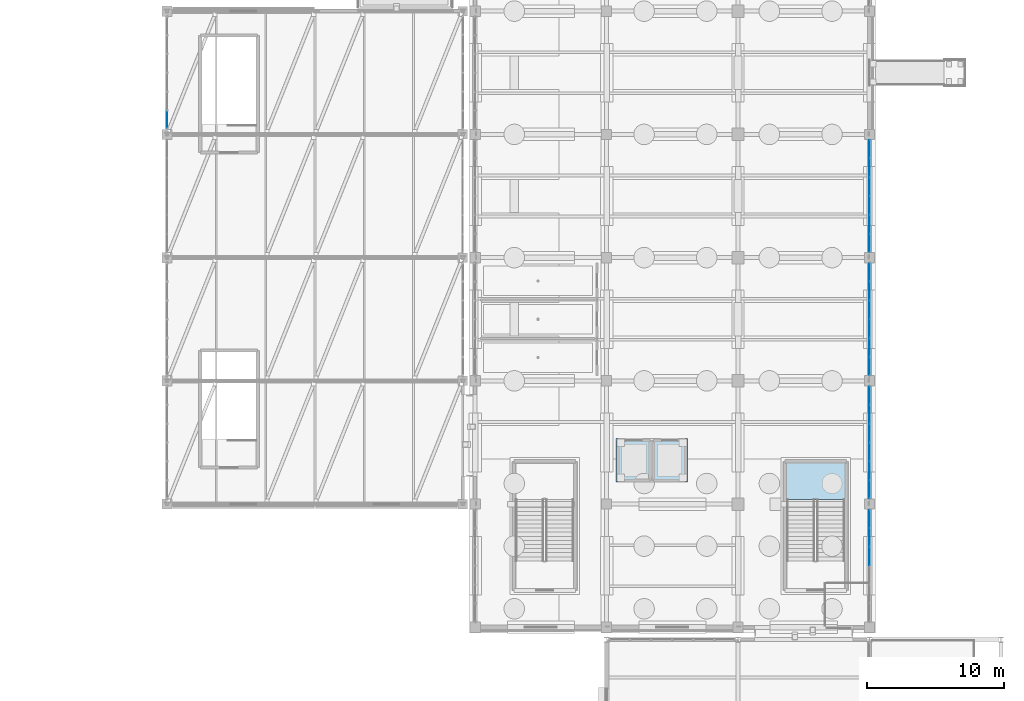
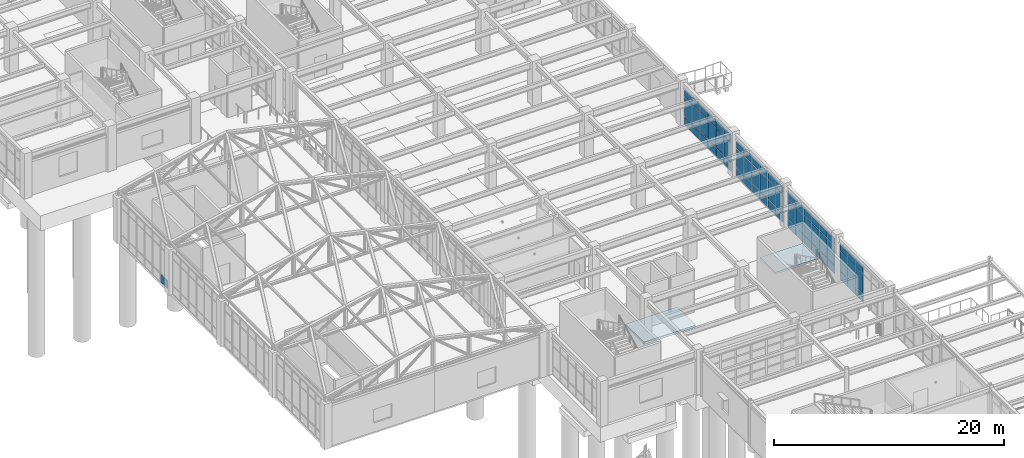
# One storey, part 98 of 139: 64 plates, 2 slabs, 6 elements without a shape of their own.
"""IFC4 building model written with IfcOpenShell, lengths in metres."""

from ifc_helpers import new_model, si_unit, direction, frame, origin, origin_2d, place, context, subcontext, project, spatial, polyline, rectangle, outline, extrude, material, layer, layer_set, type_object, element, aggregate, save


model = new_model("IFC4")

# Units and contexts
model_context = context("Model", 3, precision=1e-05, world=origin(), true_north=direction((0.0, 1.0)))
body_context = subcontext(model_context, "Body", "Model", "MODEL_VIEW")
ifc_project = project(units=[si_unit("LENGTHUNIT", "METRE"), si_unit("AREAUNIT", "SQUARE_METRE"), si_unit("VOLUMEUNIT", "CUBIC_METRE"), si_unit("PLANEANGLEUNIT", "RADIAN"), si_unit("MASSUNIT", "GRAM", prefix="KILO")], contexts=[model_context])

# Site, building, storey
site_placement = place(None, origin())
site = spatial("IfcSite", under=ifc_project, at=site_placement, CompositionType="ELEMENT")
building_placement = place(site_placement, origin())
building = spatial("IfcBuilding", under=site, at=building_placement, Name="Canglan Escarpment Cableway Terminal", CompositionType="ELEMENT")
storey_placement = place(building_placement, frame((0.0, 0.0, 14.39990234375)))
storey = spatial("IfcBuildingStorey", under=building, at=storey_placement, Name="L03", CompositionType="ELEMENT", Elevation=14.39990234375)

# Curtain wall, plates
ifc_material_1 = material(Name="Anodized bronze aluminium and Low-E double glazing", Category="aluminium")
curtain_wall_type_1 = type_object("IfcCurtainWallType", Name="CW-BAY-8250x3900", PredefinedType="NOTDEFINED", material=ifc_material_1)
curtain_wall_1_placement = place(storey_placement, origin())
curtain_wall_1 = element("IfcCurtainWall", 1, at=curtain_wall_1_placement, inside=storey, type_object=curtain_wall_type_1, Name="Classical bay-between-piers glazed curtain wall CW-62", PredefinedType="NOTDEFINED")
ifc_material_2 = material(Name="Double-silver Low-E laminated insulating glass", Category="glass")
ifc_layer_1 = layer(ifc_material_2, 0.02392578125, Name="Double-silver Low-E laminated insulating glass")
ifc_layer_set_1 = layer_set([ifc_layer_1], Name="Double-silver Low-E laminated insulating glass")
plate_type_1 = type_object("IfcPlateType", Name="CWP-01", PredefinedType="CURTAIN_PANEL", material=ifc_layer_set_1)
plate_1_placement = place(storey_placement, frame((166.39990234375, 39.1875, 0.05517578125), z_axis=(0.0, 0.0, 1.0), x_axis=(0.0, 1.0, 0.0)))
plate_1 = element("IfcPlate", 2, at=plate_1_placement, type_object=plate_type_1, Name="CW-62 panel 4.1", PredefinedType="CURTAIN_PANEL", context=body_context, shape_type="SweptSolid", body=[
    extrude(rectangle(XDim=1.31494140625, YDim=0.02392578125, at=origin_2d()), origin(), (0.0, 0.0, 1.0), 0.867431640625),
])
plate_2_placement = place(storey_placement, frame((166.39990234375, 39.1875, 0.9775390625), z_axis=(0.0, 0.0, 1.0), x_axis=(0.0, 1.0, 0.0)))
plate_2 = element("IfcPlate", 3, at=plate_2_placement, type_object=plate_type_1, Name="CW-62 panel 4.2", PredefinedType="CURTAIN_PANEL", context=body_context, shape_type="SweptSolid", body=[
    extrude(rectangle(XDim=1.31494140625, YDim=0.02392578125, at=origin_2d()), origin(), (0.0, 0.0, 1.0), 2.035888671875),
])
plate_3_placement = place(storey_placement, frame((166.39990234375, 39.1875, 3.068603515625), z_axis=(0.0, 0.0, 1.0), x_axis=(0.0, 1.0, 0.0)))
plate_3 = element("IfcPlate", 4, at=plate_3_placement, type_object=plate_type_1, Name="CW-62 panel 4.3", PredefinedType="CURTAIN_PANEL", context=body_context, shape_type="SweptSolid", body=[
    extrude(rectangle(XDim=1.31494140625, YDim=0.02392578125, at=origin_2d()), origin(), (0.0, 0.0, 1.0), 0.767578125),
])
plate_4_placement = place(storey_placement, frame((166.39990234375, 40.5625, 0.05517578125), z_axis=(0.0, 0.0, 1.0), x_axis=(0.0, 1.0, 0.0)))
plate_4 = element("IfcPlate", 5, at=plate_4_placement, type_object=plate_type_1, Name="CW-62 panel 5.1", PredefinedType="CURTAIN_PANEL", context=body_context, shape_type="SweptSolid", body=[
    extrude(rectangle(XDim=1.31494140625, YDim=0.02392578125, at=origin_2d()), origin(), (0.0, 0.0, 1.0), 0.867431640625),
])
plate_5_placement = place(storey_placement, frame((166.39990234375, 40.5625, 0.9775390625), z_axis=(0.0, 0.0, 1.0), x_axis=(0.0, 1.0, 0.0)))
plate_5 = element("IfcPlate", 6, at=plate_5_placement, type_object=plate_type_1, Name="CW-62 panel 5.2", PredefinedType="CURTAIN_PANEL", context=body_context, shape_type="SweptSolid", body=[
    extrude(rectangle(XDim=1.31494140625, YDim=0.02392578125, at=origin_2d()), origin(), (0.0, 0.0, 1.0), 2.035888671875),
])
plate_6_placement = place(storey_placement, frame((166.39990234375, 40.5625, 3.068603515625), z_axis=(0.0, 0.0, 1.0), x_axis=(0.0, 1.0, 0.0)))
plate_6 = element("IfcPlate", 7, at=plate_6_placement, type_object=plate_type_1, Name="CW-62 panel 5.3", PredefinedType="CURTAIN_PANEL", context=body_context, shape_type="SweptSolid", body=[
    extrude(rectangle(XDim=1.31494140625, YDim=0.02392578125, at=origin_2d()), origin(), (0.0, 0.0, 1.0), 0.767578125),
])
plate_7_placement = place(storey_placement, frame((166.39990234375, 41.922607421875, 0.05517578125), z_axis=(0.0, 0.0, 1.0), x_axis=(0.0, 1.0, 0.0)))
plate_7 = element("IfcPlate", 8, at=plate_7_placement, type_object=plate_type_1, Name="CW-62 panel 6.1", PredefinedType="CURTAIN_PANEL", context=body_context, shape_type="SweptSolid", body=[
    extrude(rectangle(XDim=1.284912109375, YDim=0.02392578125, at=origin_2d()), origin(), (0.0, 0.0, 1.0), 0.867431640625),
])
plate_8_placement = place(storey_placement, frame((166.39990234375, 41.922607421875, 0.9775390625), z_axis=(0.0, 0.0, 1.0), x_axis=(0.0, 1.0, 0.0)))
plate_8 = element("IfcPlate", 9, at=plate_8_placement, type_object=plate_type_1, Name="CW-62 panel 6.2", PredefinedType="CURTAIN_PANEL", context=body_context, shape_type="SweptSolid", body=[
    extrude(rectangle(XDim=1.284912109375, YDim=0.02392578125, at=origin_2d()), origin(), (0.0, 0.0, 1.0), 2.035888671875),
])
plate_9_placement = place(storey_placement, frame((166.39990234375, 41.922607421875, 3.068603515625), z_axis=(0.0, 0.0, 1.0), x_axis=(0.0, 1.0, 0.0)))
plate_9 = element("IfcPlate", 10, at=plate_9_placement, type_object=plate_type_1, Name="CW-62 panel 6.3", PredefinedType="CURTAIN_PANEL", context=body_context, shape_type="SweptSolid", body=[
    extrude(rectangle(XDim=1.284912109375, YDim=0.02392578125, at=origin_2d()), origin(), (0.0, 0.0, 1.0), 0.767578125),
])
aggregate(curtain_wall_1, [plate_1, plate_2, plate_3, plate_4, plate_5, plate_6, plate_7, plate_8, plate_9])

# Curtain wall, plate
curtain_wall_type_2 = type_object("IfcCurtainWallType", Name="CW-BAY-8250x4600", PredefinedType="NOTDEFINED", material=ifc_material_1)
curtain_wall_2_placement = place(storey_placement, origin())
curtain_wall_2 = element("IfcCurtainWall", 11, at=curtain_wall_2_placement, inside=storey, type_object=curtain_wall_type_2, Name="Classical bay-between-piers glazed curtain wall CW-46", PredefinedType="NOTDEFINED")
ifc_layer_2 = layer(ifc_material_2, 0.028076171875, Name="Double-silver Low-E laminated insulating glass")
ifc_layer_set_2 = layer_set([ifc_layer_2], Name="Double-silver Low-E laminated insulating glass")
plate_type_2 = type_object("IfcPlateType", Name="CWP-02", PredefinedType="CURTAIN_PANEL", material=ifc_layer_set_2)
plate_10_placement = place(storey_placement, frame((115.10009765625, 71.078857421875, 0.06005859375), z_axis=(0.0, 0.0, 1.0), x_axis=(0.0, -1.0, 0.0)))
plate_10 = element("IfcPlate", 12, at=plate_10_placement, type_object=plate_type_2, Name="CW-46 panel 6.1", PredefinedType="CURTAIN_PANEL", context=body_context, shape_type="SweptSolid", body=[
    extrude(rectangle(XDim=1.277587890625, YDim=0.028076171875, at=origin_2d()), origin(), (0.0, 0.0, 1.0), 0.860107421875),
])
aggregate(curtain_wall_2, [plate_10])

# Curtain wall, plates
curtain_wall_3_placement = place(storey_placement, origin())
curtain_wall_3 = element("IfcCurtainWall", 13, at=curtain_wall_3_placement, inside=storey, type_object=curtain_wall_type_1, Name="Classical bay-between-piers glazed curtain wall CW-62", PredefinedType="NOTDEFINED")
plate_11_placement = place(storey_placement, frame((166.39990234375, 44.078857421875, 0.06005859375), z_axis=(0.0, 0.0, 1.0), x_axis=(0.0, 1.0, 0.0)))
plate_11 = element("IfcPlate", 14, at=plate_11_placement, type_object=plate_type_2, Name="CW-62 panel 1.1", PredefinedType="CURTAIN_PANEL", context=body_context, shape_type="SweptSolid", body=[
    extrude(rectangle(XDim=1.277587890625, YDim=0.028076171875, at=origin_2d()), origin(), (0.0, 0.0, 1.0), 0.860107421875),
])
plate_12_placement = place(storey_placement, frame((166.39990234375, 44.078857421875, 0.97998046875), z_axis=(0.0, 0.0, 1.0), x_axis=(0.0, 1.0, 0.0)))
plate_12 = element("IfcPlate", 15, at=plate_12_placement, type_object=plate_type_2, Name="CW-62 panel 1.2", PredefinedType="CURTAIN_PANEL", context=body_context, shape_type="SweptSolid", body=[
    extrude(rectangle(XDim=1.277587890625, YDim=0.028076171875, at=origin_2d()), origin(), (0.0, 0.0, 1.0), 2.031005859375),
])
plate_13_placement = place(storey_placement, frame((166.39990234375, 44.078857421875, 3.0712890625), z_axis=(0.0, 0.0, 1.0), x_axis=(0.0, 1.0, 0.0)))
plate_13 = element("IfcPlate", 16, at=plate_13_placement, type_object=plate_type_2, Name="CW-62 panel 1.3", PredefinedType="CURTAIN_PANEL", context=body_context, shape_type="SweptSolid", body=[
    extrude(rectangle(XDim=1.277587890625, YDim=0.028076171875, at=origin_2d()), origin(), (0.0, 0.0, 1.0), 0.760009765625),
])
plate_14_placement = place(storey_placement, frame((166.39990234375, 45.4375, 0.06005859375), z_axis=(0.0, 0.0, 1.0), x_axis=(0.0, 1.0, 0.0)))
plate_14 = element("IfcPlate", 17, at=plate_14_placement, type_object=plate_type_2, Name="CW-62 panel 2.1", PredefinedType="CURTAIN_PANEL", context=body_context, shape_type="SweptSolid", body=[
    extrude(rectangle(XDim=1.31005859375, YDim=0.028076171875, at=origin_2d()), origin(), (0.0, 0.0, 1.0), 0.860107421875),
])
plate_15_placement = place(storey_placement, frame((166.39990234375, 45.4375, 0.97998046875), z_axis=(0.0, 0.0, 1.0), x_axis=(0.0, 1.0, 0.0)))
plate_15 = element("IfcPlate", 18, at=plate_15_placement, type_object=plate_type_2, Name="CW-62 panel 2.2", PredefinedType="CURTAIN_PANEL", context=body_context, shape_type="SweptSolid", body=[
    extrude(rectangle(XDim=1.31005859375, YDim=0.028076171875, at=origin_2d()), origin(), (0.0, 0.0, 1.0), 2.031005859375),
])
plate_16_placement = place(storey_placement, frame((166.39990234375, 45.4375, 3.0712890625), z_axis=(0.0, 0.0, 1.0), x_axis=(0.0, 1.0, 0.0)))
plate_16 = element("IfcPlate", 19, at=plate_16_placement, type_object=plate_type_2, Name="CW-62 panel 2.3", PredefinedType="CURTAIN_PANEL", context=body_context, shape_type="SweptSolid", body=[
    extrude(rectangle(XDim=1.31005859375, YDim=0.028076171875, at=origin_2d()), origin(), (0.0, 0.0, 1.0), 0.760009765625),
])
plate_17_placement = place(storey_placement, frame((166.39990234375, 46.8125, 0.06005859375), z_axis=(0.0, 0.0, 1.0), x_axis=(0.0, 1.0, 0.0)))
plate_17 = element("IfcPlate", 20, at=plate_17_placement, type_object=plate_type_2, Name="CW-62 panel 3.1", PredefinedType="CURTAIN_PANEL", context=body_context, shape_type="SweptSolid", body=[
    extrude(rectangle(XDim=1.31005859375, YDim=0.028076171875, at=origin_2d()), origin(), (0.0, 0.0, 1.0), 0.860107421875),
])
plate_18_placement = place(storey_placement, frame((166.39990234375, 46.8125, 0.97998046875), z_axis=(0.0, 0.0, 1.0), x_axis=(0.0, 1.0, 0.0)))
plate_18 = element("IfcPlate", 21, at=plate_18_placement, type_object=plate_type_2, Name="CW-62 panel 3.2", PredefinedType="CURTAIN_PANEL", context=body_context, shape_type="SweptSolid", body=[
    extrude(rectangle(XDim=1.31005859375, YDim=0.028076171875, at=origin_2d()), origin(), (0.0, 0.0, 1.0), 2.031005859375),
])
plate_19_placement = place(storey_placement, frame((166.39990234375, 46.8125, 3.0712890625), z_axis=(0.0, 0.0, 1.0), x_axis=(0.0, 1.0, 0.0)))
plate_19 = element("IfcPlate", 22, at=plate_19_placement, type_object=plate_type_2, Name="CW-62 panel 3.3", PredefinedType="CURTAIN_PANEL", context=body_context, shape_type="SweptSolid", body=[
    extrude(rectangle(XDim=1.31005859375, YDim=0.028076171875, at=origin_2d()), origin(), (0.0, 0.0, 1.0), 0.760009765625),
])
plate_20_placement = place(storey_placement, frame((166.39990234375, 48.1875, 0.06005859375), z_axis=(0.0, 0.0, 1.0), x_axis=(0.0, 1.0, 0.0)))
plate_20 = element("IfcPlate", 23, at=plate_20_placement, type_object=plate_type_2, Name="CW-62 panel 4.1", PredefinedType="CURTAIN_PANEL", context=body_context, shape_type="SweptSolid", body=[
    extrude(rectangle(XDim=1.31005859375, YDim=0.028076171875, at=origin_2d()), origin(), (0.0, 0.0, 1.0), 0.860107421875),
])
plate_21_placement = place(storey_placement, frame((166.39990234375, 48.1875, 0.97998046875), z_axis=(0.0, 0.0, 1.0), x_axis=(0.0, 1.0, 0.0)))
plate_21 = element("IfcPlate", 24, at=plate_21_placement, type_object=plate_type_2, Name="CW-62 panel 4.2", PredefinedType="CURTAIN_PANEL", context=body_context, shape_type="SweptSolid", body=[
    extrude(rectangle(XDim=1.31005859375, YDim=0.028076171875, at=origin_2d()), origin(), (0.0, 0.0, 1.0), 2.031005859375),
])
plate_22_placement = place(storey_placement, frame((166.39990234375, 48.1875, 3.0712890625), z_axis=(0.0, 0.0, 1.0), x_axis=(0.0, 1.0, 0.0)))
plate_22 = element("IfcPlate", 25, at=plate_22_placement, type_object=plate_type_2, Name="CW-62 panel 4.3", PredefinedType="CURTAIN_PANEL", context=body_context, shape_type="SweptSolid", body=[
    extrude(rectangle(XDim=1.31005859375, YDim=0.028076171875, at=origin_2d()), origin(), (0.0, 0.0, 1.0), 0.760009765625),
])
plate_23_placement = place(storey_placement, frame((166.39990234375, 49.5625, 0.06005859375), z_axis=(0.0, 0.0, 1.0), x_axis=(0.0, 1.0, 0.0)))
plate_23 = element("IfcPlate", 26, at=plate_23_placement, type_object=plate_type_2, Name="CW-62 panel 5.1", PredefinedType="CURTAIN_PANEL", context=body_context, shape_type="SweptSolid", body=[
    extrude(rectangle(XDim=1.31005859375, YDim=0.028076171875, at=origin_2d()), origin(), (0.0, 0.0, 1.0), 0.860107421875),
])
plate_24_placement = place(storey_placement, frame((166.39990234375, 49.5625, 0.97998046875), z_axis=(0.0, 0.0, 1.0), x_axis=(0.0, 1.0, 0.0)))
plate_24 = element("IfcPlate", 27, at=plate_24_placement, type_object=plate_type_2, Name="CW-62 panel 5.2", PredefinedType="CURTAIN_PANEL", context=body_context, shape_type="SweptSolid", body=[
    extrude(rectangle(XDim=1.31005859375, YDim=0.028076171875, at=origin_2d()), origin(), (0.0, 0.0, 1.0), 2.031005859375),
])
plate_25_placement = place(storey_placement, frame((166.39990234375, 49.5625, 3.0712890625), z_axis=(0.0, 0.0, 1.0), x_axis=(0.0, 1.0, 0.0)))
plate_25 = element("IfcPlate", 28, at=plate_25_placement, type_object=plate_type_2, Name="CW-62 panel 5.3", PredefinedType="CURTAIN_PANEL", context=body_context, shape_type="SweptSolid", body=[
    extrude(rectangle(XDim=1.31005859375, YDim=0.028076171875, at=origin_2d()), origin(), (0.0, 0.0, 1.0), 0.760009765625),
])
plate_26_placement = place(storey_placement, frame((166.39990234375, 50.921142578125, 0.06005859375), z_axis=(0.0, 0.0, 1.0), x_axis=(0.0, 1.0, 0.0)))
plate_26 = element("IfcPlate", 29, at=plate_26_placement, type_object=plate_type_2, Name="CW-62 panel 6.1", PredefinedType="CURTAIN_PANEL", context=body_context, shape_type="SweptSolid", body=[
    extrude(rectangle(XDim=1.277587890625, YDim=0.028076171875, at=origin_2d()), origin(), (0.0, 0.0, 1.0), 0.860107421875),
])
plate_27_placement = place(storey_placement, frame((166.39990234375, 50.921142578125, 0.97998046875), z_axis=(0.0, 0.0, 1.0), x_axis=(0.0, 1.0, 0.0)))
plate_27 = element("IfcPlate", 30, at=plate_27_placement, type_object=plate_type_2, Name="CW-62 panel 6.2", PredefinedType="CURTAIN_PANEL", context=body_context, shape_type="SweptSolid", body=[
    extrude(rectangle(XDim=1.277587890625, YDim=0.028076171875, at=origin_2d()), origin(), (0.0, 0.0, 1.0), 2.031005859375),
])
plate_28_placement = place(storey_placement, frame((166.39990234375, 50.921142578125, 3.0712890625), z_axis=(0.0, 0.0, 1.0), x_axis=(0.0, 1.0, 0.0)))
plate_28 = element("IfcPlate", 31, at=plate_28_placement, type_object=plate_type_2, Name="CW-62 panel 6.3", PredefinedType="CURTAIN_PANEL", context=body_context, shape_type="SweptSolid", body=[
    extrude(rectangle(XDim=1.277587890625, YDim=0.028076171875, at=origin_2d()), origin(), (0.0, 0.0, 1.0), 0.760009765625),
])
aggregate(curtain_wall_3, [plate_11, plate_12, plate_13, plate_14, plate_15, plate_16, plate_17, plate_18, plate_19, plate_20, plate_21, plate_22, plate_23, plate_24, plate_25, plate_26, plate_27, plate_28])

curtain_wall_4_placement = place(storey_placement, origin())
curtain_wall_4 = element("IfcCurtainWall", 32, at=curtain_wall_4_placement, inside=storey, type_object=curtain_wall_type_1, Name="Classical bay-between-piers glazed curtain wall CW-62", PredefinedType="NOTDEFINED")
ifc_layer_3 = layer(ifc_material_2, 0.031982421875, Name="Double-silver Low-E laminated insulating glass")
ifc_layer_set_3 = layer_set([ifc_layer_3], Name="Double-silver Low-E laminated insulating glass")
plate_type_3 = type_object("IfcPlateType", Name="CWP-03", PredefinedType="CURTAIN_PANEL", material=ifc_layer_set_3)
plate_29_placement = place(storey_placement, frame((166.39990234375, 53.078857421875, 0.065185546875), z_axis=(0.0, 0.0, 1.0), x_axis=(0.0, 1.0, 0.0)))
plate_29 = element("IfcPlate", 33, at=plate_29_placement, type_object=plate_type_3, Name="CW-62 panel 1.1", PredefinedType="CURTAIN_PANEL", context=body_context, shape_type="SweptSolid", body=[
    extrude(rectangle(XDim=1.277587890625, YDim=0.031982421875, at=origin_2d()), origin(), (0.0, 0.0, 1.0), 0.8525390625),
])
plate_30_placement = place(storey_placement, frame((166.39990234375, 53.078857421875, 0.982666015625), z_axis=(0.0, 0.0, 1.0), x_axis=(0.0, 1.0, 0.0)))
plate_30 = element("IfcPlate", 34, at=plate_30_placement, type_object=plate_type_3, Name="CW-62 panel 1.2", PredefinedType="CURTAIN_PANEL", context=body_context, shape_type="SweptSolid", body=[
    extrude(rectangle(XDim=1.277587890625, YDim=0.031982421875, at=origin_2d()), origin(), (0.0, 0.0, 1.0), 2.02587890625),
])
plate_31_placement = place(storey_placement, frame((166.39990234375, 53.078857421875, 3.07373046875), z_axis=(0.0, 0.0, 1.0), x_axis=(0.0, 1.0, 0.0)))
plate_31 = element("IfcPlate", 35, at=plate_31_placement, type_object=plate_type_3, Name="CW-62 panel 1.3", PredefinedType="CURTAIN_PANEL", context=body_context, shape_type="SweptSolid", body=[
    extrude(rectangle(XDim=1.277587890625, YDim=0.031982421875, at=origin_2d()), origin(), (0.0, 0.0, 1.0), 0.75244140625),
])
plate_32_placement = place(storey_placement, frame((166.39990234375, 54.4375, 0.065185546875), z_axis=(0.0, 0.0, 1.0), x_axis=(0.0, 1.0, 0.0)))
plate_32 = element("IfcPlate", 36, at=plate_32_placement, type_object=plate_type_3, Name="CW-62 panel 2.1", PredefinedType="CURTAIN_PANEL", context=body_context, shape_type="SweptSolid", body=[
    extrude(rectangle(XDim=1.31005859375, YDim=0.031982421875, at=origin_2d()), origin(), (0.0, 0.0, 1.0), 0.8525390625),
])
plate_33_placement = place(storey_placement, frame((166.39990234375, 54.4375, 0.982666015625), z_axis=(0.0, 0.0, 1.0), x_axis=(0.0, 1.0, 0.0)))
plate_33 = element("IfcPlate", 37, at=plate_33_placement, type_object=plate_type_3, Name="CW-62 panel 2.2", PredefinedType="CURTAIN_PANEL", context=body_context, shape_type="SweptSolid", body=[
    extrude(rectangle(XDim=1.31005859375, YDim=0.031982421875, at=origin_2d()), origin(), (0.0, 0.0, 1.0), 2.02587890625),
])
plate_34_placement = place(storey_placement, frame((166.39990234375, 54.4375, 3.07373046875), z_axis=(0.0, 0.0, 1.0), x_axis=(0.0, 1.0, 0.0)))
plate_34 = element("IfcPlate", 38, at=plate_34_placement, type_object=plate_type_3, Name="CW-62 panel 2.3", PredefinedType="CURTAIN_PANEL", context=body_context, shape_type="SweptSolid", body=[
    extrude(rectangle(XDim=1.31005859375, YDim=0.031982421875, at=origin_2d()), origin(), (0.0, 0.0, 1.0), 0.75244140625),
])
plate_35_placement = place(storey_placement, frame((166.39990234375, 55.8125, 0.065185546875), z_axis=(0.0, 0.0, 1.0), x_axis=(0.0, 1.0, 0.0)))
plate_35 = element("IfcPlate", 39, at=plate_35_placement, type_object=plate_type_3, Name="CW-62 panel 3.1", PredefinedType="CURTAIN_PANEL", context=body_context, shape_type="SweptSolid", body=[
    extrude(rectangle(XDim=1.31005859375, YDim=0.031982421875, at=origin_2d()), origin(), (0.0, 0.0, 1.0), 0.8525390625),
])
plate_36_placement = place(storey_placement, frame((166.39990234375, 55.8125, 0.982666015625), z_axis=(0.0, 0.0, 1.0), x_axis=(0.0, 1.0, 0.0)))
plate_36 = element("IfcPlate", 40, at=plate_36_placement, type_object=plate_type_3, Name="CW-62 panel 3.2", PredefinedType="CURTAIN_PANEL", context=body_context, shape_type="SweptSolid", body=[
    extrude(rectangle(XDim=1.31005859375, YDim=0.031982421875, at=origin_2d()), origin(), (0.0, 0.0, 1.0), 2.02587890625),
])
plate_37_placement = place(storey_placement, frame((166.39990234375, 55.8125, 3.07373046875), z_axis=(0.0, 0.0, 1.0), x_axis=(0.0, 1.0, 0.0)))
plate_37 = element("IfcPlate", 41, at=plate_37_placement, type_object=plate_type_3, Name="CW-62 panel 3.3", PredefinedType="CURTAIN_PANEL", context=body_context, shape_type="SweptSolid", body=[
    extrude(rectangle(XDim=1.31005859375, YDim=0.031982421875, at=origin_2d()), origin(), (0.0, 0.0, 1.0), 0.75244140625),
])
plate_38_placement = place(storey_placement, frame((166.39990234375, 57.1875, 0.065185546875), z_axis=(0.0, 0.0, 1.0), x_axis=(0.0, 1.0, 0.0)))
plate_38 = element("IfcPlate", 42, at=plate_38_placement, type_object=plate_type_3, Name="CW-62 panel 4.1", PredefinedType="CURTAIN_PANEL", context=body_context, shape_type="SweptSolid", body=[
    extrude(rectangle(XDim=1.31005859375, YDim=0.031982421875, at=origin_2d()), origin(), (0.0, 0.0, 1.0), 0.8525390625),
])
plate_39_placement = place(storey_placement, frame((166.39990234375, 57.1875, 0.982666015625), z_axis=(0.0, 0.0, 1.0), x_axis=(0.0, 1.0, 0.0)))
plate_39 = element("IfcPlate", 43, at=plate_39_placement, type_object=plate_type_3, Name="CW-62 panel 4.2", PredefinedType="CURTAIN_PANEL", context=body_context, shape_type="SweptSolid", body=[
    extrude(rectangle(XDim=1.31005859375, YDim=0.031982421875, at=origin_2d()), origin(), (0.0, 0.0, 1.0), 2.02587890625),
])
plate_40_placement = place(storey_placement, frame((166.39990234375, 57.1875, 3.07373046875), z_axis=(0.0, 0.0, 1.0), x_axis=(0.0, 1.0, 0.0)))
plate_40 = element("IfcPlate", 44, at=plate_40_placement, type_object=plate_type_3, Name="CW-62 panel 4.3", PredefinedType="CURTAIN_PANEL", context=body_context, shape_type="SweptSolid", body=[
    extrude(rectangle(XDim=1.31005859375, YDim=0.031982421875, at=origin_2d()), origin(), (0.0, 0.0, 1.0), 0.75244140625),
])
plate_41_placement = place(storey_placement, frame((166.39990234375, 58.5625, 0.065185546875), z_axis=(0.0, 0.0, 1.0), x_axis=(0.0, 1.0, 0.0)))
plate_41 = element("IfcPlate", 45, at=plate_41_placement, type_object=plate_type_3, Name="CW-62 panel 5.1", PredefinedType="CURTAIN_PANEL", context=body_context, shape_type="SweptSolid", body=[
    extrude(rectangle(XDim=1.31005859375, YDim=0.031982421875, at=origin_2d()), origin(), (0.0, 0.0, 1.0), 0.8525390625),
])
plate_42_placement = place(storey_placement, frame((166.39990234375, 58.5625, 0.982666015625), z_axis=(0.0, 0.0, 1.0), x_axis=(0.0, 1.0, 0.0)))
plate_42 = element("IfcPlate", 46, at=plate_42_placement, type_object=plate_type_3, Name="CW-62 panel 5.2", PredefinedType="CURTAIN_PANEL", context=body_context, shape_type="SweptSolid", body=[
    extrude(rectangle(XDim=1.31005859375, YDim=0.031982421875, at=origin_2d()), origin(), (0.0, 0.0, 1.0), 2.02587890625),
])
plate_43_placement = place(storey_placement, frame((166.39990234375, 58.5625, 3.07373046875), z_axis=(0.0, 0.0, 1.0), x_axis=(0.0, 1.0, 0.0)))
plate_43 = element("IfcPlate", 47, at=plate_43_placement, type_object=plate_type_3, Name="CW-62 panel 5.3", PredefinedType="CURTAIN_PANEL", context=body_context, shape_type="SweptSolid", body=[
    extrude(rectangle(XDim=1.31005859375, YDim=0.031982421875, at=origin_2d()), origin(), (0.0, 0.0, 1.0), 0.75244140625),
])
plate_44_placement = place(storey_placement, frame((166.39990234375, 59.921142578125, 0.065185546875), z_axis=(0.0, 0.0, 1.0), x_axis=(0.0, 1.0, 0.0)))
plate_44 = element("IfcPlate", 48, at=plate_44_placement, type_object=plate_type_3, Name="CW-62 panel 6.1", PredefinedType="CURTAIN_PANEL", context=body_context, shape_type="SweptSolid", body=[
    extrude(rectangle(XDim=1.277587890625, YDim=0.031982421875, at=origin_2d()), origin(), (0.0, 0.0, 1.0), 0.8525390625),
])
plate_45_placement = place(storey_placement, frame((166.39990234375, 59.921142578125, 0.982666015625), z_axis=(0.0, 0.0, 1.0), x_axis=(0.0, 1.0, 0.0)))
plate_45 = element("IfcPlate", 49, at=plate_45_placement, type_object=plate_type_3, Name="CW-62 panel 6.2", PredefinedType="CURTAIN_PANEL", context=body_context, shape_type="SweptSolid", body=[
    extrude(rectangle(XDim=1.277587890625, YDim=0.031982421875, at=origin_2d()), origin(), (0.0, 0.0, 1.0), 2.02587890625),
])
plate_46_placement = place(storey_placement, frame((166.39990234375, 59.921142578125, 3.07373046875), z_axis=(0.0, 0.0, 1.0), x_axis=(0.0, 1.0, 0.0)))
plate_46 = element("IfcPlate", 50, at=plate_46_placement, type_object=plate_type_3, Name="CW-62 panel 6.3", PredefinedType="CURTAIN_PANEL", context=body_context, shape_type="SweptSolid", body=[
    extrude(rectangle(XDim=1.277587890625, YDim=0.031982421875, at=origin_2d()), origin(), (0.0, 0.0, 1.0), 0.75244140625),
])
aggregate(curtain_wall_4, [plate_29, plate_30, plate_31, plate_32, plate_33, plate_34, plate_35, plate_36, plate_37, plate_38, plate_39, plate_40, plate_41, plate_42, plate_43, plate_44, plate_45, plate_46])

curtain_wall_5_placement = place(storey_placement, origin())
curtain_wall_5 = element("IfcCurtainWall", 51, at=curtain_wall_5_placement, inside=storey, type_object=curtain_wall_type_1, Name="Classical bay-between-piers glazed curtain wall CW-62", PredefinedType="NOTDEFINED")
ifc_layer_4 = layer(ifc_material_2, 0.035888671875, Name="Double-silver Low-E laminated insulating glass")
ifc_layer_set_4 = layer_set([ifc_layer_4], Name="Double-silver Low-E laminated insulating glass")
plate_type_4 = type_object("IfcPlateType", Name="CWP-04", PredefinedType="CURTAIN_PANEL", material=ifc_layer_set_4)
plate_47_placement = place(storey_placement, frame((166.39990234375, 62.077392578125, 0.05517578125), z_axis=(0.0, 0.0, 1.0), x_axis=(0.0, 1.0, 0.0)))
plate_47 = element("IfcPlate", 52, at=plate_47_placement, type_object=plate_type_4, Name="CW-62 panel 1.1", PredefinedType="CURTAIN_PANEL", context=body_context, shape_type="SweptSolid", body=[
    extrude(rectangle(XDim=1.284912109375, YDim=0.035888671875, at=origin_2d()), origin(), (0.0, 0.0, 1.0), 0.867431640625),
])
plate_48_placement = place(storey_placement, frame((166.39990234375, 62.077392578125, 0.9775390625), z_axis=(0.0, 0.0, 1.0), x_axis=(0.0, 1.0, 0.0)))
plate_48 = element("IfcPlate", 53, at=plate_48_placement, type_object=plate_type_4, Name="CW-62 panel 1.2", PredefinedType="CURTAIN_PANEL", context=body_context, shape_type="SweptSolid", body=[
    extrude(rectangle(XDim=1.284912109375, YDim=0.035888671875, at=origin_2d()), origin(), (0.0, 0.0, 1.0), 2.035888671875),
])
plate_49_placement = place(storey_placement, frame((166.39990234375, 62.077392578125, 3.068603515625), z_axis=(0.0, 0.0, 1.0), x_axis=(0.0, 1.0, 0.0)))
plate_49 = element("IfcPlate", 54, at=plate_49_placement, type_object=plate_type_4, Name="CW-62 panel 1.3", PredefinedType="CURTAIN_PANEL", context=body_context, shape_type="SweptSolid", body=[
    extrude(rectangle(XDim=1.284912109375, YDim=0.035888671875, at=origin_2d()), origin(), (0.0, 0.0, 1.0), 0.767578125),
])
plate_50_placement = place(storey_placement, frame((166.39990234375, 63.4375, 0.05517578125), z_axis=(0.0, 0.0, 1.0), x_axis=(0.0, 1.0, 0.0)))
plate_50 = element("IfcPlate", 55, at=plate_50_placement, type_object=plate_type_4, Name="CW-62 panel 2.1", PredefinedType="CURTAIN_PANEL", context=body_context, shape_type="SweptSolid", body=[
    extrude(rectangle(XDim=1.31494140625, YDim=0.035888671875, at=origin_2d()), origin(), (0.0, 0.0, 1.0), 0.867431640625),
])
plate_51_placement = place(storey_placement, frame((166.39990234375, 63.4375, 0.9775390625), z_axis=(0.0, 0.0, 1.0), x_axis=(0.0, 1.0, 0.0)))
plate_51 = element("IfcPlate", 56, at=plate_51_placement, type_object=plate_type_4, Name="CW-62 panel 2.2", PredefinedType="CURTAIN_PANEL", context=body_context, shape_type="SweptSolid", body=[
    extrude(rectangle(XDim=1.31494140625, YDim=0.035888671875, at=origin_2d()), origin(), (0.0, 0.0, 1.0), 2.035888671875),
])
plate_52_placement = place(storey_placement, frame((166.39990234375, 63.4375, 3.068603515625), z_axis=(0.0, 0.0, 1.0), x_axis=(0.0, 1.0, 0.0)))
plate_52 = element("IfcPlate", 57, at=plate_52_placement, type_object=plate_type_4, Name="CW-62 panel 2.3", PredefinedType="CURTAIN_PANEL", context=body_context, shape_type="SweptSolid", body=[
    extrude(rectangle(XDim=1.31494140625, YDim=0.035888671875, at=origin_2d()), origin(), (0.0, 0.0, 1.0), 0.767578125),
])
plate_53_placement = place(storey_placement, frame((166.39990234375, 64.8125, 0.05517578125), z_axis=(0.0, 0.0, 1.0), x_axis=(0.0, 1.0, 0.0)))
plate_53 = element("IfcPlate", 58, at=plate_53_placement, type_object=plate_type_4, Name="CW-62 panel 3.1", PredefinedType="CURTAIN_PANEL", context=body_context, shape_type="SweptSolid", body=[
    extrude(rectangle(XDim=1.31494140625, YDim=0.035888671875, at=origin_2d()), origin(), (0.0, 0.0, 1.0), 0.867431640625),
])
plate_54_placement = place(storey_placement, frame((166.39990234375, 64.8125, 0.9775390625), z_axis=(0.0, 0.0, 1.0), x_axis=(0.0, 1.0, 0.0)))
plate_54 = element("IfcPlate", 59, at=plate_54_placement, type_object=plate_type_4, Name="CW-62 panel 3.2", PredefinedType="CURTAIN_PANEL", context=body_context, shape_type="SweptSolid", body=[
    extrude(rectangle(XDim=1.31494140625, YDim=0.035888671875, at=origin_2d()), origin(), (0.0, 0.0, 1.0), 2.035888671875),
])
plate_55_placement = place(storey_placement, frame((166.39990234375, 64.8125, 3.068603515625), z_axis=(0.0, 0.0, 1.0), x_axis=(0.0, 1.0, 0.0)))
plate_55 = element("IfcPlate", 60, at=plate_55_placement, type_object=plate_type_4, Name="CW-62 panel 3.3", PredefinedType="CURTAIN_PANEL", context=body_context, shape_type="SweptSolid", body=[
    extrude(rectangle(XDim=1.31494140625, YDim=0.035888671875, at=origin_2d()), origin(), (0.0, 0.0, 1.0), 0.767578125),
])
plate_56_placement = place(storey_placement, frame((166.39990234375, 66.1875, 0.05517578125), z_axis=(0.0, 0.0, 1.0), x_axis=(0.0, 1.0, 0.0)))
plate_56 = element("IfcPlate", 61, at=plate_56_placement, type_object=plate_type_4, Name="CW-62 panel 4.1", PredefinedType="CURTAIN_PANEL", context=body_context, shape_type="SweptSolid", body=[
    extrude(rectangle(XDim=1.31494140625, YDim=0.035888671875, at=origin_2d()), origin(), (0.0, 0.0, 1.0), 0.867431640625),
])
plate_57_placement = place(storey_placement, frame((166.39990234375, 66.1875, 0.9775390625), z_axis=(0.0, 0.0, 1.0), x_axis=(0.0, 1.0, 0.0)))
plate_57 = element("IfcPlate", 62, at=plate_57_placement, type_object=plate_type_4, Name="CW-62 panel 4.2", PredefinedType="CURTAIN_PANEL", context=body_context, shape_type="SweptSolid", body=[
    extrude(rectangle(XDim=1.31494140625, YDim=0.035888671875, at=origin_2d()), origin(), (0.0, 0.0, 1.0), 2.035888671875),
])
plate_58_placement = place(storey_placement, frame((166.39990234375, 66.1875, 3.068603515625), z_axis=(0.0, 0.0, 1.0), x_axis=(0.0, 1.0, 0.0)))
plate_58 = element("IfcPlate", 63, at=plate_58_placement, type_object=plate_type_4, Name="CW-62 panel 4.3", PredefinedType="CURTAIN_PANEL", context=body_context, shape_type="SweptSolid", body=[
    extrude(rectangle(XDim=1.31494140625, YDim=0.035888671875, at=origin_2d()), origin(), (0.0, 0.0, 1.0), 0.767578125),
])
plate_59_placement = place(storey_placement, frame((166.39990234375, 67.5625, 0.05517578125), z_axis=(0.0, 0.0, 1.0), x_axis=(0.0, 1.0, 0.0)))
plate_59 = element("IfcPlate", 64, at=plate_59_placement, type_object=plate_type_4, Name="CW-62 panel 5.1", PredefinedType="CURTAIN_PANEL", context=body_context, shape_type="SweptSolid", body=[
    extrude(rectangle(XDim=1.31494140625, YDim=0.035888671875, at=origin_2d()), origin(), (0.0, 0.0, 1.0), 0.867431640625),
])
plate_60_placement = place(storey_placement, frame((166.39990234375, 67.5625, 0.9775390625), z_axis=(0.0, 0.0, 1.0), x_axis=(0.0, 1.0, 0.0)))
plate_60 = element("IfcPlate", 65, at=plate_60_placement, type_object=plate_type_4, Name="CW-62 panel 5.2", PredefinedType="CURTAIN_PANEL", context=body_context, shape_type="SweptSolid", body=[
    extrude(rectangle(XDim=1.31494140625, YDim=0.035888671875, at=origin_2d()), origin(), (0.0, 0.0, 1.0), 2.035888671875),
])
plate_61_placement = place(storey_placement, frame((166.39990234375, 67.5625, 3.068603515625), z_axis=(0.0, 0.0, 1.0), x_axis=(0.0, 1.0, 0.0)))
plate_61 = element("IfcPlate", 66, at=plate_61_placement, type_object=plate_type_4, Name="CW-62 panel 5.3", PredefinedType="CURTAIN_PANEL", context=body_context, shape_type="SweptSolid", body=[
    extrude(rectangle(XDim=1.31494140625, YDim=0.035888671875, at=origin_2d()), origin(), (0.0, 0.0, 1.0), 0.767578125),
])
plate_62_placement = place(storey_placement, frame((166.39990234375, 68.922607421875, 0.05517578125), z_axis=(0.0, 0.0, 1.0), x_axis=(0.0, 1.0, 0.0)))
plate_62 = element("IfcPlate", 67, at=plate_62_placement, type_object=plate_type_4, Name="CW-62 panel 6.1", PredefinedType="CURTAIN_PANEL", context=body_context, shape_type="SweptSolid", body=[
    extrude(rectangle(XDim=1.284912109375, YDim=0.035888671875, at=origin_2d()), origin(), (0.0, 0.0, 1.0), 0.867431640625),
])
plate_63_placement = place(storey_placement, frame((166.39990234375, 68.922607421875, 0.9775390625), z_axis=(0.0, 0.0, 1.0), x_axis=(0.0, 1.0, 0.0)))
plate_63 = element("IfcPlate", 68, at=plate_63_placement, type_object=plate_type_4, Name="CW-62 panel 6.2", PredefinedType="CURTAIN_PANEL", context=body_context, shape_type="SweptSolid", body=[
    extrude(rectangle(XDim=1.284912109375, YDim=0.035888671875, at=origin_2d()), origin(), (0.0, 0.0, 1.0), 2.035888671875),
])
plate_64_placement = place(storey_placement, frame((166.39990234375, 68.922607421875, 3.068603515625), z_axis=(0.0, 0.0, 1.0), x_axis=(0.0, 1.0, 0.0)))
plate_64 = element("IfcPlate", 69, at=plate_64_placement, type_object=plate_type_4, Name="CW-62 panel 6.3", PredefinedType="CURTAIN_PANEL", context=body_context, shape_type="SweptSolid", body=[
    extrude(rectangle(XDim=1.284912109375, YDim=0.035888671875, at=origin_2d()), origin(), (0.0, 0.0, 1.0), 0.767578125),
])
aggregate(curtain_wall_5, [plate_47, plate_48, plate_49, plate_50, plate_51, plate_52, plate_53, plate_54, plate_55, plate_56, plate_57, plate_58, plate_59, plate_60, plate_61, plate_62, plate_63, plate_64])

# Slab
ifc_material_3 = material(Name="Concrete C40", Category="concrete")
ifc_layer_5 = layer(ifc_material_3, 0.239990234375, Name="Concrete C40")
ifc_layer_set_5 = layer_set([ifc_layer_5], Name="Concrete C40")
slab_type_1 = type_object("IfcSlabType", Name="SLB-PIT-240", PredefinedType="BASESLAB", material=ifc_layer_set_5)
slab_1_placement = place(storey_placement, frame((0.0, 0.0, -1.639892578125)))
element("IfcSlab", 70, at=slab_1_placement, inside=storey, type_object=slab_type_1, Name="Elevator shaft pit base slab LF-03", PredefinedType="BASESLAB", context=body_context, shape_type="SweptSolid", body=[
    extrude(outline(polyline([(147.89990234375, 44.60009765625), (153.10009765625, 44.60009765625), (153.10009765625, 47.800048828125), (147.89990234375, 47.800048828125), (147.89990234375, 44.60009765625)])), origin(), (0.0, 0.0, 1.0), 0.239990234375),
])

# Stair, slab
stair_type = type_object("IfcStairType", Name="STR-DOGLEG-2050", PredefinedType="HALF_TURN_STAIR", material=ifc_material_3)
stair_placement = place(storey_placement, origin())
stair = element("IfcStair", 71, at=stair_placement, inside=storey, type_object=stair_type, Name="L03 Protected Exit Stair ST-15", PredefinedType="HALF_TURN_STAIR")
ifc_layer_6 = layer(ifc_material_3, 0.199951171875, Name="Concrete C40")
ifc_layer_set_6 = layer_set([ifc_layer_6], Name="Concrete C40")
slab_type_2 = type_object("IfcSlabType", Name="SLB-STAIR-LAND-200", PredefinedType="LANDING", material=ifc_layer_set_6)
slab_2_placement = place(storey_placement, frame((0.0, 0.0, 2.2001953125)))
slab_2 = element("IfcSlab", 72, at=slab_2_placement, type_object=slab_type_2, Name="ST-15 landing 1", PredefinedType="LANDING", context=body_context, shape_type="SweptSolid", body=[
    extrude(outline(polyline([(164.60009765625, 43.35009765625), (164.60009765625, 46.0), (160.35009765625, 46.0), (160.35009765625, 43.35009765625), (164.60009765625, 43.35009765625)])), origin(), (0.0, 0.0, 1.0), 0.199951171875),
])
aggregate(stair, [slab_2])

save(model, "model.ifc")
